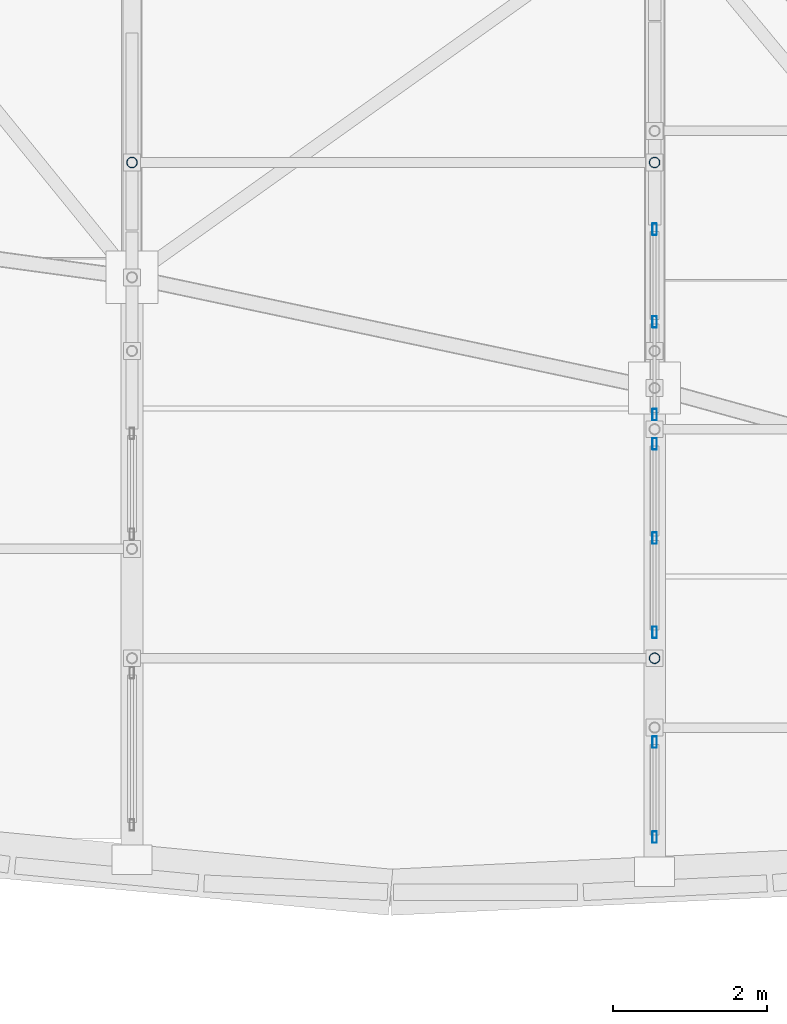
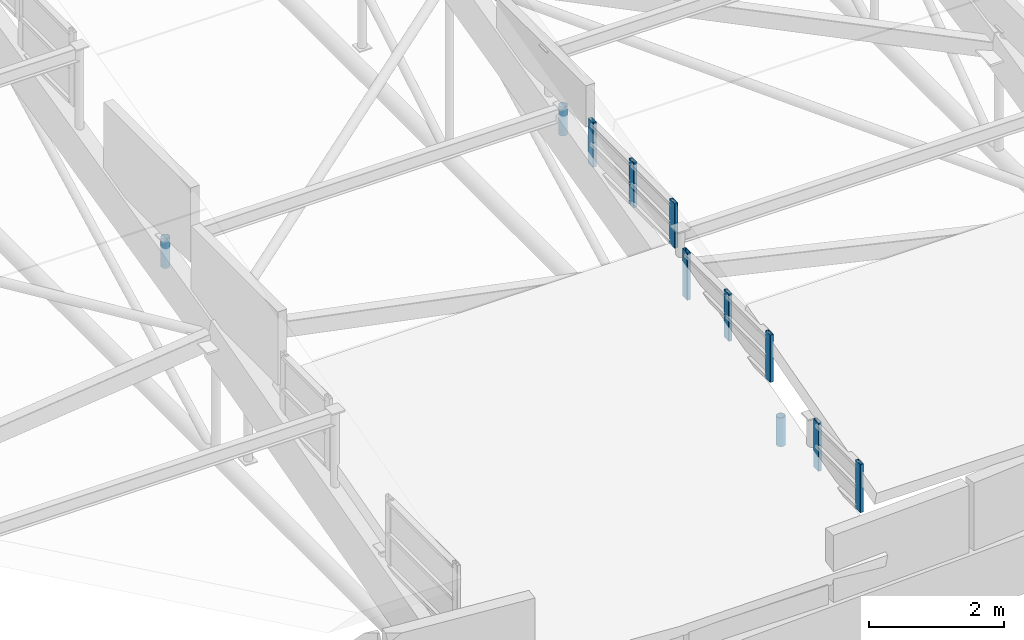
# One storey, part 128 of 188: 11 members, 3 elements without a shape of their own.
"""IFC4 building model written with IfcOpenShell, lengths in metres."""

from ifc_helpers import new_model, si_unit, direction, frame, origin, origin_2d, place, context, subcontext, project, spatial, hollow_rectangle, hollow_circle, extrude, material, layer, layer_set, material_profile, profile_set, type_object, element, aggregate, save


model = new_model("IFC4")

# Units and contexts
model_context = context("Model", 3, precision=1e-05, world=origin(), true_north=direction((0.0, 1.0)))
body_context = subcontext(model_context, "Body", "Model", "MODEL_VIEW")
ifc_project = project(units=[si_unit("LENGTHUNIT", "METRE"), si_unit("AREAUNIT", "SQUARE_METRE"), si_unit("VOLUMEUNIT", "CUBIC_METRE"), si_unit("PLANEANGLEUNIT", "RADIAN"), si_unit("MASSUNIT", "GRAM", prefix="KILO")], contexts=[model_context])

# Site, building, storey
site_placement = place(None, origin())
site = spatial("IfcSite", under=ifc_project, at=site_placement, CompositionType="ELEMENT")
building_placement = place(site_placement, origin())
building = spatial("IfcBuilding", under=site, at=building_placement, Name="Kisaragi Civic Commons", CompositionType="ELEMENT")
storey_placement = place(building_placement, frame((0.0, 0.0, 9.60009765625)))
storey = spatial("IfcBuildingStorey", under=building, at=storey_placement, Name="L02", CompositionType="ELEMENT", Elevation=9.60009765625)

# Curtain wall, members
ifc_material_1 = material(Name="Thermally broken anodized aluminium and low-E double glazing", Category="aluminium")
ifc_layer = layer(ifc_material_1, 0.14990234375, Name="Thermally broken anodized aluminium and low-E double glazing", Category="aluminium")
ifc_layer_set = layer_set([ifc_layer], Name="Thermally broken anodized aluminium and low-E double glazing")
curtain_wall_type = type_object("IfcCurtainWallType", Name="CW-03", PredefinedType="NOTDEFINED", material=ifc_layer_set)
curtain_wall_1_placement = place(storey_placement, origin())
curtain_wall_1 = element("IfcCurtainWall", 1, at=curtain_wall_1_placement, inside=storey, type_object=curtain_wall_type, Name="L02 curtain wall CW-03 CW-CL-V1-164", PredefinedType="NOTDEFINED")
ifc_material_profile_1 = material_profile(ifc_material_1, hollow_rectangle(XDim=0.06005859375, YDim=0.14990234375, WallThickness=0.00390625, InnerFilletRadius=0.00390625, OuterFilletRadius=0.008056640625, at=origin_2d()), Name="CWM-60x150x4", Category="aluminium")
ifc_profile_set_1 = profile_set([ifc_material_profile_1], Name="Thermally broken anodized aluminium and low-E double glazing")
member_type_1 = type_object("IfcMemberType", Name="CWM-01", PredefinedType="MULLION", material=ifc_profile_set_1)
member_1_placement = place(storey_placement, frame((27.199951171875, 2.07421875, 0.534912109375), z_axis=(0.0, 0.0, 1.0), x_axis=(-1.0, 0.0, 0.0)))
member_1 = element("IfcMember", 2, at=member_1_placement, type_object=member_type_1, Name="CW-03 mullion 1", PredefinedType="MULLION", context=body_context, shape_type="SweptSolid", body=[
    extrude(hollow_rectangle(XDim=0.06005859375, YDim=0.14990234375, WallThickness=0.00390625, InnerFilletRadius=0.00390625, OuterFilletRadius=0.008056640625, at=origin_2d()), origin(), (0.0, 0.0, 1.0), 0.869140625),
])
member_2_placement = place(storey_placement, frame((27.199951171875, 3.309326171875, 0.534912109375), z_axis=(0.0, 0.0, 1.0), x_axis=(-1.0, 0.0, 0.0)))
member_2 = element("IfcMember", 3, at=member_2_placement, type_object=member_type_1, Name="CW-03 mullion 2", PredefinedType="MULLION", context=body_context, shape_type="SweptSolid", body=[
    extrude(hollow_rectangle(XDim=0.06005859375, YDim=0.14990234375, WallThickness=0.00390625, InnerFilletRadius=0.00390625, OuterFilletRadius=0.008056640625, at=origin_2d()), origin(), (0.0, 0.0, 1.0), 0.869140625),
])
aggregate(curtain_wall_1, [member_1, member_2])

curtain_wall_2_placement = place(storey_placement, origin())
curtain_wall_2 = element("IfcCurtainWall", 4, at=curtain_wall_2_placement, inside=storey, type_object=curtain_wall_type, Name="L02 curtain wall CW-03 CW-CL-V1-165", PredefinedType="NOTDEFINED")
member_3_placement = place(storey_placement, frame((27.199951171875, 4.738525390625, 1.273681640625), z_axis=(0.0, 0.0, 1.0), x_axis=(-1.0, 0.0, 0.0)))
member_3 = element("IfcMember", 5, at=member_3_placement, type_object=member_type_1, Name="CW-03 mullion 1", PredefinedType="MULLION", context=body_context, shape_type="SweptSolid", body=[
    extrude(hollow_rectangle(XDim=0.06005859375, YDim=0.14990234375, WallThickness=0.00390625, InnerFilletRadius=0.00390625, OuterFilletRadius=0.008056640625, at=origin_2d()), origin(), (0.0, 0.0, 1.0), 0.852783203125),
])
member_4_placement = place(storey_placement, frame((27.199951171875, 5.96484375, 1.273681640625), z_axis=(0.0, 0.0, 1.0), x_axis=(-1.0, 0.0, 0.0)))
member_4 = element("IfcMember", 6, at=member_4_placement, type_object=member_type_1, Name="CW-03 mullion 2", PredefinedType="MULLION", context=body_context, shape_type="SweptSolid", body=[
    extrude(hollow_rectangle(XDim=0.06005859375, YDim=0.14990234375, WallThickness=0.00390625, InnerFilletRadius=0.00390625, OuterFilletRadius=0.008056640625, at=origin_2d()), origin(), (0.0, 0.0, 1.0), 0.852783203125),
])
member_5_placement = place(storey_placement, frame((27.199951171875, 7.19091796875, 1.273681640625), z_axis=(0.0, 0.0, 1.0), x_axis=(-1.0, 0.0, 0.0)))
member_5 = element("IfcMember", 7, at=member_5_placement, type_object=member_type_1, Name="CW-03 mullion 3", PredefinedType="MULLION", context=body_context, shape_type="SweptSolid", body=[
    extrude(hollow_rectangle(XDim=0.06005859375, YDim=0.14990234375, WallThickness=0.00390625, InnerFilletRadius=0.00390625, OuterFilletRadius=0.008056640625, at=origin_2d()), origin(), (0.0, 0.0, 1.0), 0.852783203125),
])
aggregate(curtain_wall_2, [member_3, member_4, member_5])

curtain_wall_3_placement = place(storey_placement, origin())
curtain_wall_3 = element("IfcCurtainWall", 8, at=curtain_wall_3_placement, inside=storey, type_object=curtain_wall_type, Name="L02 curtain wall CW-03 CW-CL-V1-166", PredefinedType="NOTDEFINED")
member_6_placement = place(storey_placement, frame((27.199951171875, 7.57080078125, 1.98291015625), z_axis=(0.0, 0.0, 1.0), x_axis=(-1.0, 0.0, 0.0)))
member_6 = element("IfcMember", 9, at=member_6_placement, type_object=member_type_1, Name="CW-03 mullion 1", PredefinedType="MULLION", context=body_context, shape_type="SweptSolid", body=[
    extrude(hollow_rectangle(XDim=0.06005859375, YDim=0.14990234375, WallThickness=0.00390625, InnerFilletRadius=0.00390625, OuterFilletRadius=0.008056640625, at=origin_2d()), origin(), (0.0, 0.0, 1.0), 0.80810546875),
])
member_7_placement = place(storey_placement, frame((27.199951171875, 8.777099609375, 1.98291015625), z_axis=(0.0, 0.0, 1.0), x_axis=(-1.0, 0.0, 0.0)))
member_7 = element("IfcMember", 10, at=member_7_placement, type_object=member_type_1, Name="CW-03 mullion 2", PredefinedType="MULLION", context=body_context, shape_type="SweptSolid", body=[
    extrude(hollow_rectangle(XDim=0.06005859375, YDim=0.14990234375, WallThickness=0.00390625, InnerFilletRadius=0.00390625, OuterFilletRadius=0.008056640625, at=origin_2d()), origin(), (0.0, 0.0, 1.0), 0.80810546875),
])
member_8_placement = place(storey_placement, frame((27.199951171875, 9.9833984375, 1.98291015625), z_axis=(0.0, 0.0, 1.0), x_axis=(-1.0, 0.0, 0.0)))
member_8 = element("IfcMember", 11, at=member_8_placement, type_object=member_type_1, Name="CW-03 mullion 3", PredefinedType="MULLION", context=body_context, shape_type="SweptSolid", body=[
    extrude(hollow_rectangle(XDim=0.06005859375, YDim=0.14990234375, WallThickness=0.00390625, InnerFilletRadius=0.00390625, OuterFilletRadius=0.008056640625, at=origin_2d()), origin(), (0.0, 0.0, 1.0), 0.80810546875),
])
aggregate(curtain_wall_3, [member_6, member_7, member_8])

# Members
ifc_material_2 = material(Name="Steel SN490 (SN490B)", Category="steel")
ifc_material_profile_2 = material_profile(ifc_material_2, hollow_circle(Radius=0.06982421875, WallThickness=0.006103515625, at=origin_2d()), Name="CHS-139.8x6.0", Category="steel")
ifc_profile_set_2 = profile_set([ifc_material_profile_2], Name="Steel SN490 (SN490B)")
member_type_2 = type_object("IfcMemberType", Name="ST-H1", PredefinedType="STRUT", material=ifc_profile_set_2)
member_9_placement = place(storey_placement, frame((27.199951171875, 4.4013671875, 0.3115234375), z_axis=(0.0, 0.0, 1.0), x_axis=(1.0, 0.0, 0.0)))
element("IfcMember", 12, at=member_9_placement, inside=storey, type_object=member_type_2, Name="V1 clerestory monitor horizontal tie strut 4.4.1", PredefinedType="STRUT", context=body_context, shape_type="SweptSolid", body=[
    extrude(hollow_circle(Radius=0.06982421875, WallThickness=0.006103515625, at=origin_2d()), origin(), (0.0, 0.0, 1.0), 0.52099609375),
])
member_10_placement = place(storey_placement, frame((20.39990234375, 10.851806640625, 2.004638671875), z_axis=(0.0, 0.0, 1.0), x_axis=(1.0, 0.0, 0.0)))
element("IfcMember", 13, at=member_10_placement, inside=storey, type_object=member_type_2, Name="V1 clerestory monitor horizontal tie strut 4.3.2", PredefinedType="STRUT", context=body_context, shape_type="SweptSolid", body=[
    extrude(hollow_circle(Radius=0.06982421875, WallThickness=0.006103515625, at=origin_2d()), origin(), (0.0, 0.0, 1.0), 0.530029296875),
])
member_11_placement = place(storey_placement, frame((27.199951171875, 10.851806640625, 2.018310546875), z_axis=(0.0, 0.0, 1.0), x_axis=(1.0, 0.0, 0.0)))
element("IfcMember", 14, at=member_11_placement, inside=storey, type_object=member_type_2, Name="V1 clerestory monitor horizontal tie strut 4.4.2", PredefinedType="STRUT", context=body_context, shape_type="SweptSolid", body=[
    extrude(hollow_circle(Radius=0.06982421875, WallThickness=0.006103515625, at=origin_2d()), origin(), (0.0, 0.0, 1.0), 0.516357421875),
])

save(model, "model.ifc")
